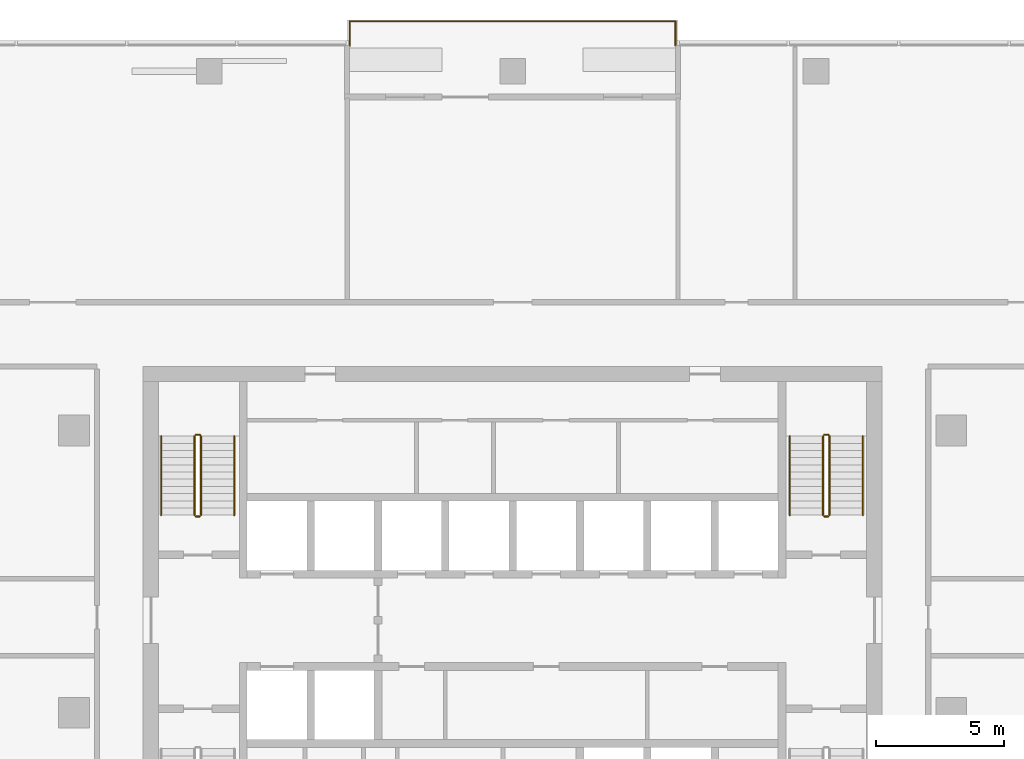
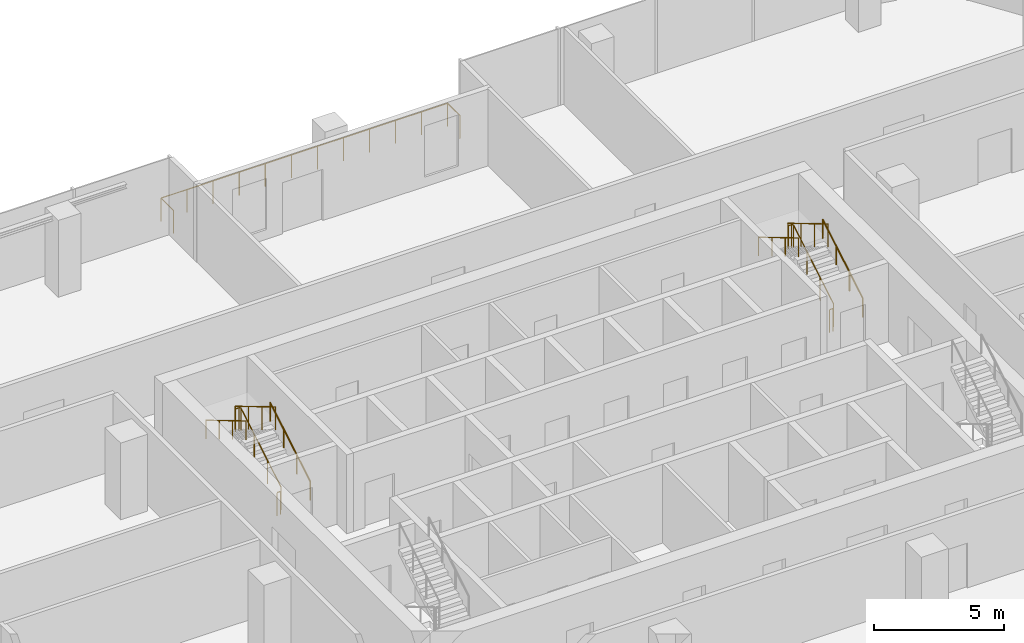
# One storey, part 13 of 13: 11 railings.
"""IFC4 building model written with IfcOpenShell, lengths in metres."""

from ifc_helpers import new_model, si_unit, direction, frame, origin, origin_2d, place, context, subcontext, project, spatial, circle, extrude, material, type_object, element, save


model = new_model("IFC4")

# Units and contexts
model_context = context("Model", 3, precision=1e-05, world=origin(), true_north=direction((0.0, 1.0)))
body_context = subcontext(model_context, "Body", "Model", "MODEL_VIEW")
ifc_project = project(units=[si_unit("LENGTHUNIT", "METRE"), si_unit("AREAUNIT", "SQUARE_METRE"), si_unit("VOLUMEUNIT", "CUBIC_METRE"), si_unit("PLANEANGLEUNIT", "RADIAN"), si_unit("MASSUNIT", "GRAM", prefix="KILO")], contexts=[model_context])

# Site, building, storey
site_placement = place(None, origin())
site = spatial("IfcSite", under=ifc_project, at=site_placement, CompositionType="ELEMENT")
building_placement = place(site_placement, origin())
building = spatial("IfcBuilding", under=site, at=building_placement, Name="Mopane Tessera Tower", CompositionType="ELEMENT")
storey_placement = place(building_placement, frame((0.0, 0.0, 287.39990234375)))
storey = spatial("IfcBuildingStorey", under=building, at=storey_placement, Name="L62", CompositionType="ELEMENT", Elevation=287.39990234375)

# Railings
ifc_material_1 = material(Name="Powder-coated steel balustrade", Category="steel")
railing_type_1 = type_object("IfcRailingType", Name="Escape stair guard 1100 mm", PredefinedType="GUARDRAIL", material=ifc_material_1)
railing_1_placement = place(storey_placement, frame((-12.14990234375, 7.699951171875, 0.166748046875)))
element("IfcRailing", 1, at=railing_1_placement, inside=storey, type_object=railing_type_1, Name="L62 ST2 stair guard 1", PredefinedType="GUARDRAIL", context=body_context, shape_type="SweptSolid", body=[
    extrude(circle(Radius=0.02392578125, at=origin_2d()), frame((0.0, 0.0, 1.076171875), z_axis=(0.0, 0.859308565015, 0.511457515432), x_axis=(-1.0, 0.0, 0.0)), (0.0, 0.0, 1.0), 3.58447265625),
    extrude(circle(Radius=0.02392578125, at=origin_2d()), frame((0.0, 3.080078125, 2.9091796875), z_axis=(-0.707106781187, 0.707106781187, 0.0), x_axis=(-0.707106781187, -0.707106781187, 0.0)), (0.0, 0.0, 1.0), 0.07080078125),
    extrude(circle(Radius=0.02392578125, at=origin_2d()), frame((-0.050048828125, 3.130126953125, 2.9091796875), z_axis=(-1.0, 0.0, 0.0), x_axis=(0.0, -1.0, 0.0)), (0.0, 0.0, 1.0), 0.150146484375),
    extrude(circle(Radius=0.02099609375, at=origin_2d()), origin(), (0.0, 0.0, 1.0), 1.052001953125),
    extrude(circle(Radius=0.02099609375, at=origin_2d()), frame((0.0, 1.026611328125, 0.611083984375)), (0.0, 0.0, 1.0), 1.052001953125),
    extrude(circle(Radius=0.02099609375, at=origin_2d()), frame((0.0, 2.053466796875, 1.22216796875)), (0.0, 0.0, 1.0), 1.052001953125),
    extrude(circle(Radius=0.02099609375, at=origin_2d()), frame((0.0, 3.080078125, 1.833251953125)), (0.0, 0.0, 1.0), 1.052001953125),
    extrude(circle(Radius=0.02099609375, at=origin_2d()), frame((-0.050048828125, 3.130126953125, 1.833251953125)), (0.0, 0.0, 1.0), 1.052001953125),
    extrude(circle(Radius=0.02099609375, at=origin_2d()), frame((-0.2001953125, 3.130126953125, 1.833251953125)), (0.0, 0.0, 1.0), 1.052001953125),
])
railing_2_placement = place(storey_placement, frame((-12.39990234375, 10.780029296875, 2.166748046875)))
element("IfcRailing", 2, at=railing_2_placement, inside=storey, type_object=railing_type_1, Name="L62 ST2 stair guard 2", PredefinedType="GUARDRAIL", context=body_context, shape_type="SweptSolid", body=[
    extrude(circle(Radius=0.02392578125, at=origin_2d()), frame((0.0, 0.0, 1.076171875), z_axis=(0.0, -0.859308565015, 0.511457515432), x_axis=(1.0, 0.0, 0.0)), (0.0, 0.0, 1.0), 3.58447265625),
    extrude(circle(Radius=0.02099609375, at=origin_2d()), origin(), (0.0, 0.0, 1.0), 1.052001953125),
    extrude(circle(Radius=0.02099609375, at=origin_2d()), frame((0.0, -1.026611328125, 0.611083984375)), (0.0, 0.0, 1.0), 1.052001953125),
    extrude(circle(Radius=0.02099609375, at=origin_2d()), frame((0.0, -2.053466796875, 1.22216796875)), (0.0, 0.0, 1.0), 1.052001953125),
    extrude(circle(Radius=0.02099609375, at=origin_2d()), frame((0.0, -3.080078125, 1.833251953125)), (0.0, 0.0, 1.0), 1.052001953125),
])
railing_3_placement = place(storey_placement, frame((-12.199951171875, 7.64990234375, 0.0)))
element("IfcRailing", 3, at=railing_3_placement, inside=storey, type_object=railing_type_1, Name="L62 ST2 stair guard 3", PredefinedType="GUARDRAIL", context=body_context, shape_type="SweptSolid", body=[
    extrude(circle(Radius=0.02392578125, at=origin_2d()), frame((0.0, 0.0, 1.076171875), z_axis=(-1.0, 0.0, 0.0), x_axis=(0.0, -1.0, 0.0)), (0.0, 0.0, 1.0), 0.150146484375),
    extrude(circle(Radius=0.02099609375, at=origin_2d()), origin(), (0.0, 0.0, 1.0), 1.052001953125),
    extrude(circle(Radius=0.02099609375, at=origin_2d()), frame((-0.150146484375, 0.0, 0.0)), (0.0, 0.0, 1.0), 1.052001953125),
])
railing_4_placement = place(storey_placement, frame((12.35009765625, 7.699951171875, 0.166748046875)))
element("IfcRailing", 4, at=railing_4_placement, inside=storey, type_object=railing_type_1, Name="L62 ST4 stair guard 1", PredefinedType="GUARDRAIL", context=body_context, shape_type="SweptSolid", body=[
    extrude(circle(Radius=0.02392578125, at=origin_2d()), frame((0.0, 0.0, 1.076171875), z_axis=(0.0, 0.859308565015, 0.511457515432), x_axis=(-1.0, 0.0, 0.0)), (0.0, 0.0, 1.0), 3.58447265625),
    extrude(circle(Radius=0.02392578125, at=origin_2d()), frame((0.0, 3.080078125, 2.9091796875), z_axis=(-0.707106781187, 0.707106781187, 0.0), x_axis=(-0.707106781187, -0.707106781187, 0.0)), (0.0, 0.0, 1.0), 0.07080078125),
    extrude(circle(Radius=0.02392578125, at=origin_2d()), frame((-0.050048828125, 3.130126953125, 2.9091796875), z_axis=(-1.0, 0.0, 0.0), x_axis=(0.0, -1.0, 0.0)), (0.0, 0.0, 1.0), 0.150146484375),
    extrude(circle(Radius=0.02099609375, at=origin_2d()), origin(), (0.0, 0.0, 1.0), 1.052001953125),
    extrude(circle(Radius=0.02099609375, at=origin_2d()), frame((0.0, 1.026611328125, 0.611083984375)), (0.0, 0.0, 1.0), 1.052001953125),
    extrude(circle(Radius=0.02099609375, at=origin_2d()), frame((0.0, 2.053466796875, 1.22216796875)), (0.0, 0.0, 1.0), 1.052001953125),
    extrude(circle(Radius=0.02099609375, at=origin_2d()), frame((0.0, 3.080078125, 1.833251953125)), (0.0, 0.0, 1.0), 1.052001953125),
    extrude(circle(Radius=0.02099609375, at=origin_2d()), frame((-0.050048828125, 3.130126953125, 1.833251953125)), (0.0, 0.0, 1.0), 1.052001953125),
    extrude(circle(Radius=0.02099609375, at=origin_2d()), frame((-0.2001953125, 3.130126953125, 1.833251953125)), (0.0, 0.0, 1.0), 1.052001953125),
])
railing_5_placement = place(storey_placement, frame((12.10009765625, 10.780029296875, 2.166748046875)))
element("IfcRailing", 5, at=railing_5_placement, inside=storey, type_object=railing_type_1, Name="L62 ST4 stair guard 2", PredefinedType="GUARDRAIL", context=body_context, shape_type="SweptSolid", body=[
    extrude(circle(Radius=0.02392578125, at=origin_2d()), frame((0.0, 0.0, 1.076171875), z_axis=(0.0, -0.859308565015, 0.511457515432), x_axis=(1.0, 0.0, 0.0)), (0.0, 0.0, 1.0), 3.58447265625),
    extrude(circle(Radius=0.02099609375, at=origin_2d()), origin(), (0.0, 0.0, 1.0), 1.052001953125),
    extrude(circle(Radius=0.02099609375, at=origin_2d()), frame((0.0, -1.026611328125, 0.611083984375)), (0.0, 0.0, 1.0), 1.052001953125),
    extrude(circle(Radius=0.02099609375, at=origin_2d()), frame((0.0, -2.053466796875, 1.22216796875)), (0.0, 0.0, 1.0), 1.052001953125),
    extrude(circle(Radius=0.02099609375, at=origin_2d()), frame((0.0, -3.080078125, 1.833251953125)), (0.0, 0.0, 1.0), 1.052001953125),
])
railing_6_placement = place(storey_placement, frame((12.300048828125, 7.64990234375, 0.0)))
element("IfcRailing", 6, at=railing_6_placement, inside=storey, type_object=railing_type_1, Name="L62 ST4 stair guard 3", PredefinedType="GUARDRAIL", context=body_context, shape_type="SweptSolid", body=[
    extrude(circle(Radius=0.02392578125, at=origin_2d()), frame((0.0, 0.0, 1.076171875), z_axis=(-1.0, 0.0, 0.0), x_axis=(0.0, -1.0, 0.0)), (0.0, 0.0, 1.0), 0.150146484375),
    extrude(circle(Radius=0.02099609375, at=origin_2d()), origin(), (0.0, 0.0, 1.0), 1.052001953125),
    extrude(circle(Radius=0.02099609375, at=origin_2d()), frame((-0.150146484375, 0.0, 0.0)), (0.0, 0.0, 1.0), 1.052001953125),
])
ifc_material_2 = material(Name="Powder-coated steel balustrade", Category="steel")
railing_type_2 = type_object("IfcRailingType", Name="Escape stair handrail 900 mm", PredefinedType="HANDRAIL", material=ifc_material_2)
railing_7_placement = place(storey_placement, frame((-10.85009765625, 7.699951171875, 0.166748046875)))
element("IfcRailing", 7, at=railing_7_placement, inside=storey, type_object=railing_type_2, Name="L62 ST2 stair handrail 1", PredefinedType="HANDRAIL", context=body_context, shape_type="SweptSolid", body=[
    extrude(circle(Radius=0.02392578125, at=origin_2d()), frame((0.0, 0.0, 0.8759765625), z_axis=(0.0, 0.859308565015, 0.511457515432), x_axis=(-1.0, 0.0, 0.0)), (0.0, 0.0, 1.0), 3.58447265625),
    extrude(circle(Radius=0.02099609375, at=origin_2d()), origin(), (0.0, 0.0, 1.0), 0.851806640625),
    extrude(circle(Radius=0.02099609375, at=origin_2d()), frame((0.0, 1.026611328125, 0.611083984375)), (0.0, 0.0, 1.0), 0.851806640625),
    extrude(circle(Radius=0.02099609375, at=origin_2d()), frame((0.0, 2.053466796875, 1.22216796875)), (0.0, 0.0, 1.0), 0.851806640625),
    extrude(circle(Radius=0.02099609375, at=origin_2d()), frame((0.0, 3.080078125, 1.833251953125)), (0.0, 0.0, 1.0), 0.851806640625),
])
railing_8_placement = place(storey_placement, frame((-13.699951171875, 10.780029296875, 2.166748046875)))
element("IfcRailing", 8, at=railing_8_placement, inside=storey, type_object=railing_type_2, Name="L62 ST2 stair handrail 2", PredefinedType="HANDRAIL", context=body_context, shape_type="SweptSolid", body=[
    extrude(circle(Radius=0.02392578125, at=origin_2d()), frame((0.0, 0.0, 0.8759765625), z_axis=(0.0, -0.859308565015, 0.511457515432), x_axis=(1.0, 0.0, 0.0)), (0.0, 0.0, 1.0), 3.58447265625),
    extrude(circle(Radius=0.02099609375, at=origin_2d()), origin(), (0.0, 0.0, 1.0), 0.851806640625),
    extrude(circle(Radius=0.02099609375, at=origin_2d()), frame((0.0, -1.026611328125, 0.611083984375)), (0.0, 0.0, 1.0), 0.851806640625),
    extrude(circle(Radius=0.02099609375, at=origin_2d()), frame((0.0, -2.053466796875, 1.22216796875)), (0.0, 0.0, 1.0), 0.851806640625),
    extrude(circle(Radius=0.02099609375, at=origin_2d()), frame((0.0, -3.080078125, 1.833251953125)), (0.0, 0.0, 1.0), 0.851806640625),
])
railing_9_placement = place(storey_placement, frame((13.64990234375, 7.699951171875, 0.166748046875)))
element("IfcRailing", 9, at=railing_9_placement, inside=storey, type_object=railing_type_2, Name="L62 ST4 stair handrail 1", PredefinedType="HANDRAIL", context=body_context, shape_type="SweptSolid", body=[
    extrude(circle(Radius=0.02392578125, at=origin_2d()), frame((0.0, 0.0, 0.8759765625), z_axis=(0.0, 0.859308565015, 0.511457515432), x_axis=(-1.0, 0.0, 0.0)), (0.0, 0.0, 1.0), 3.58447265625),
    extrude(circle(Radius=0.02099609375, at=origin_2d()), origin(), (0.0, 0.0, 1.0), 0.851806640625),
    extrude(circle(Radius=0.02099609375, at=origin_2d()), frame((0.0, 1.026611328125, 0.611083984375)), (0.0, 0.0, 1.0), 0.851806640625),
    extrude(circle(Radius=0.02099609375, at=origin_2d()), frame((0.0, 2.053466796875, 1.22216796875)), (0.0, 0.0, 1.0), 0.851806640625),
    extrude(circle(Radius=0.02099609375, at=origin_2d()), frame((0.0, 3.080078125, 1.833251953125)), (0.0, 0.0, 1.0), 0.851806640625),
])
railing_10_placement = place(storey_placement, frame((10.800048828125, 10.780029296875, 2.166748046875)))
element("IfcRailing", 10, at=railing_10_placement, inside=storey, type_object=railing_type_2, Name="L62 ST4 stair handrail 2", PredefinedType="HANDRAIL", context=body_context, shape_type="SweptSolid", body=[
    extrude(circle(Radius=0.02392578125, at=origin_2d()), frame((0.0, 0.0, 0.8759765625), z_axis=(0.0, -0.859308565015, 0.511457515432), x_axis=(1.0, 0.0, 0.0)), (0.0, 0.0, 1.0), 3.58447265625),
    extrude(circle(Radius=0.02099609375, at=origin_2d()), origin(), (0.0, 0.0, 1.0), 0.851806640625),
    extrude(circle(Radius=0.02099609375, at=origin_2d()), frame((0.0, -1.026611328125, 0.611083984375)), (0.0, 0.0, 1.0), 0.851806640625),
    extrude(circle(Radius=0.02099609375, at=origin_2d()), frame((0.0, -2.053466796875, 1.22216796875)), (0.0, 0.0, 1.0), 0.851806640625),
    extrude(circle(Radius=0.02099609375, at=origin_2d()), frame((0.0, -3.080078125, 1.833251953125)), (0.0, 0.0, 1.0), 0.851806640625),
])
ifc_material_3 = material(Name="Stainless steel S316", Category="steel")
railing_type_3 = type_object("IfcRailingType", Name="Terrace guard 1100", PredefinedType="GUARDRAIL", material=ifc_material_3)
railing_11_placement = place(storey_placement, frame((6.35009765625, 26.0, 0.0)))
element("IfcRailing", 11, at=railing_11_placement, inside=storey, type_object=railing_type_3, Name="e:nw:L62:N2:guard", PredefinedType="GUARDRAIL", context=body_context, shape_type="SweptSolid", body=[
    extrude(circle(Radius=0.02392578125, at=origin_2d()), frame((0.0, 0.0, 1.076171875), z_axis=(0.0, 1.0, 0.0), x_axis=(-1.0, 0.0, 0.0)), (0.0, 0.0, 1.0), 0.949951171875),
    extrude(circle(Radius=0.02392578125, at=origin_2d()), frame((0.0, 0.949951171875, 1.076171875), z_axis=(-1.0, 0.0, 0.0), x_axis=(0.0, -1.0, 0.0)), (0.0, 0.0, 1.0), 12.7001953125),
    extrude(circle(Radius=0.02392578125, at=origin_2d()), frame((-12.7001953125, 0.949951171875, 1.076171875), z_axis=(0.0, -1.0, 0.0), x_axis=(1.0, 0.0, 0.0)), (0.0, 0.0, 1.0), 0.949951171875),
    extrude(circle(Radius=0.02099609375, at=origin_2d()), origin(), (0.0, 0.0, 1.0), 1.052001953125),
    extrude(circle(Radius=0.02099609375, at=origin_2d()), frame((0.0, 0.949951171875, 0.0)), (0.0, 0.0, 1.0), 1.052001953125),
    extrude(circle(Radius=0.02099609375, at=origin_2d()), frame((-1.154541015625, 0.949951171875, 0.0)), (0.0, 0.0, 1.0), 1.052001953125),
    extrude(circle(Radius=0.02099609375, at=origin_2d()), frame((-2.30908203125, 0.949951171875, 0.0)), (0.0, 0.0, 1.0), 1.052001953125),
    extrude(circle(Radius=0.02099609375, at=origin_2d()), frame((-3.463623046875, 0.949951171875, 0.0)), (0.0, 0.0, 1.0), 1.052001953125),
    extrude(circle(Radius=0.02099609375, at=origin_2d()), frame((-4.6181640625, 0.949951171875, 0.0)), (0.0, 0.0, 1.0), 1.052001953125),
    extrude(circle(Radius=0.02099609375, at=origin_2d()), frame((-5.772705078125, 0.949951171875, 0.0)), (0.0, 0.0, 1.0), 1.052001953125),
    extrude(circle(Radius=0.02099609375, at=origin_2d()), frame((-6.927490234375, 0.949951171875, 0.0)), (0.0, 0.0, 1.0), 1.052001953125),
    extrude(circle(Radius=0.02099609375, at=origin_2d()), frame((-8.08203125, 0.949951171875, 0.0)), (0.0, 0.0, 1.0), 1.052001953125),
    extrude(circle(Radius=0.02099609375, at=origin_2d()), frame((-9.236572265625, 0.949951171875, 0.0)), (0.0, 0.0, 1.0), 1.052001953125),
    extrude(circle(Radius=0.02099609375, at=origin_2d()), frame((-10.39111328125, 0.949951171875, 0.0)), (0.0, 0.0, 1.0), 1.052001953125),
    extrude(circle(Radius=0.02099609375, at=origin_2d()), frame((-11.545654296875, 0.949951171875, 0.0)), (0.0, 0.0, 1.0), 1.052001953125),
    extrude(circle(Radius=0.02099609375, at=origin_2d()), frame((-12.7001953125, 0.949951171875, 0.0)), (0.0, 0.0, 1.0), 1.052001953125),
    extrude(circle(Radius=0.02099609375, at=origin_2d()), frame((-12.7001953125, 0.0, 0.0)), (0.0, 0.0, 1.0), 1.052001953125),
])

save(model, "model.ifc")
